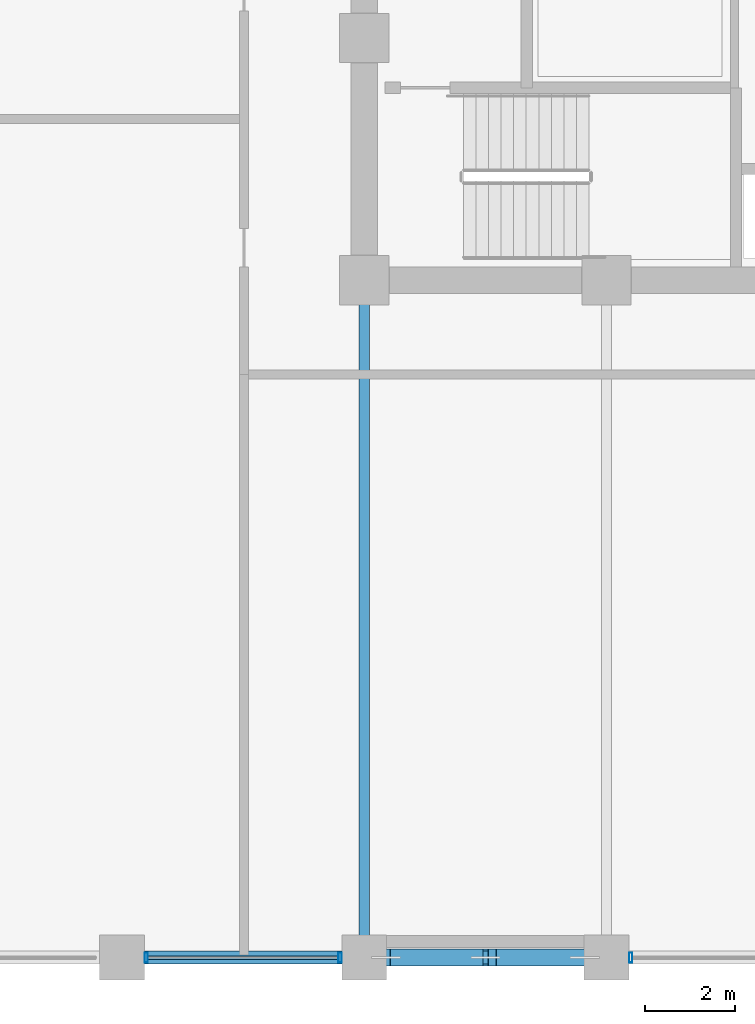
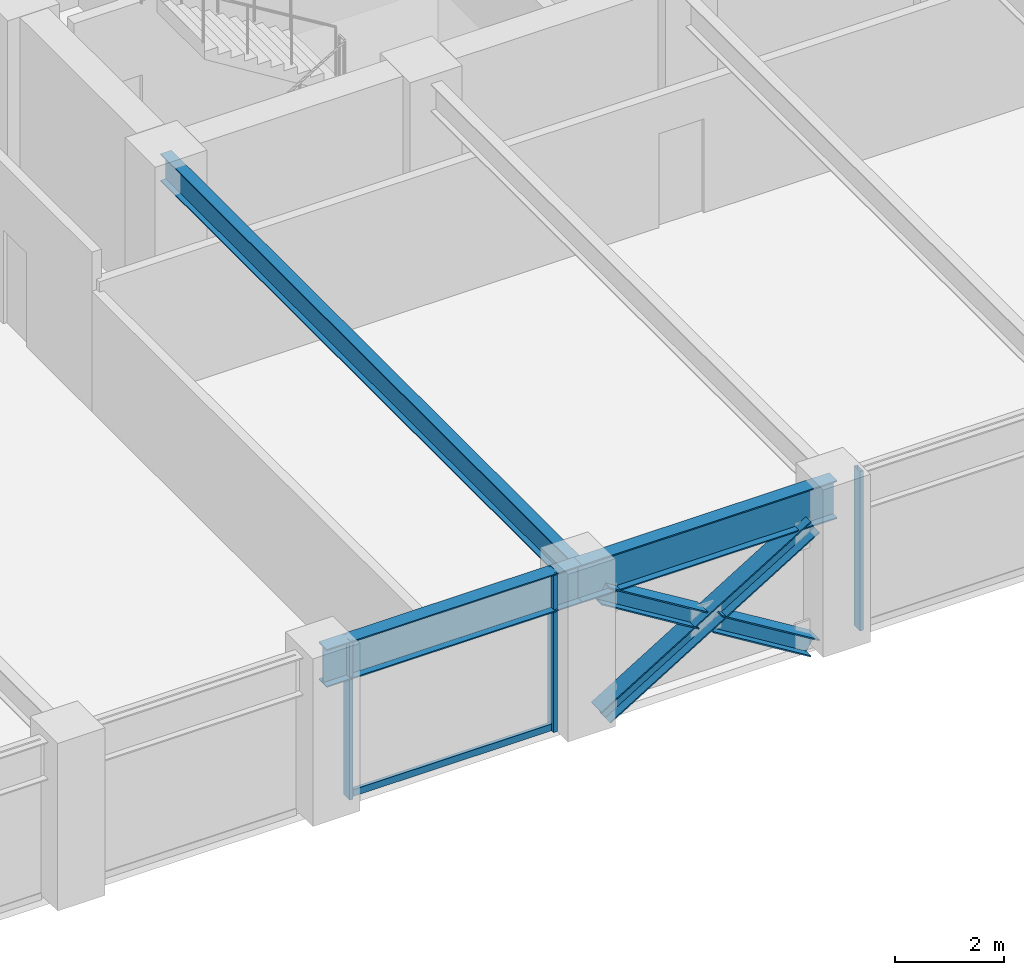
# One storey, part 4 of 23: 7 members, 3 beams, 2 elements without a shape of their own.
"""IFC4 building model written with IfcOpenShell, lengths in metres."""

import ifcopenshell
import ifcopenshell.guid

model = None  # the IFC model being written
_history = None  # IfcOwnerHistory: only IFC2X3 demands one
_inside = {}  # id of a spatial element -> (the spatial element, [elements in it])
_under = {}  # id of a project, library or spatial element -> (it, [spatial elements below it])
_declared = {}  # id of a project -> (the project, [libraries it declares])
_typed = {}  # id of a type object -> (the type object, [elements of that type])
_made_of = {}  # id of a material, layer set ... -> (it, [elements and type objects made of it])


def new_model(schema):
    """Start an empty IFC model of exactly this schema.

    Asked for "IFC4X3", IfcOpenShell would pick the latest addendum, in which some entities
    have other attributes; the version numbers below select the first issue.
    IFC2X3 requires an IfcOwnerHistory on every rooted entity: one is made here for all.
    """
    global model, _history
    if schema == "IFC4X3":
        model = ifcopenshell.file(schema_version=(4, 3, 0, 0))
    else:
        model = ifcopenshell.file(schema=schema)
    _inside.clear()
    _under.clear()
    _declared.clear()
    _typed.clear()
    _made_of.clear()
    _history = None
    if model.schema == "IFC2X3":
        org = make("IfcOrganization", Name="unknown")
        user = make(
            "IfcPersonAndOrganization",
            ThePerson=make("IfcPerson", FamilyName="unknown"),
            TheOrganization=org,
        )
        app = make(
            "IfcApplication",
            ApplicationDeveloper=org,
            Version="unknown",
            ApplicationFullName="unknown",
            ApplicationIdentifier="unknown",
        )
        _history = make(
            "IfcOwnerHistory",
            OwningUser=user,
            OwningApplication=app,
            ChangeAction="ADDED",
            CreationDate=0,
        )
    return model


def make(cls, **values):
    """One entity of the class cls with the attributes given. An attribute that is None is left unset."""
    return model.create_entity(
        cls, **{name: value for name, value in values.items() if value is not None}
    )


def rooted(cls, **values):
    """An entity with a GlobalId (a new one), such as an element, a storey or a relation."""
    return make(cls, GlobalId=ifcopenshell.guid.new(), OwnerHistory=_history, **values)


def si_unit(unit_type, name, prefix=None):
    """IfcSIUnit, for example si_unit("LENGTHUNIT", "METRE", prefix="MILLI")."""
    return make("IfcSIUnit", UnitType=unit_type, Prefix=prefix, Name=name)


def assignment(units):
    """IfcUnitAssignment: the units of a project."""
    return None if units is None else make("IfcUnitAssignment", Units=units)


def point(xyz):
    """IfcCartesianPoint."""
    return None if xyz is None else make("IfcCartesianPoint", Coordinates=xyz)


def direction(xyz):
    """IfcDirection."""
    return None if xyz is None else make("IfcDirection", DirectionRatios=xyz)


def frame(location, z_axis=None, x_axis=None):
    """IfcAxis2Placement3D, a coordinate frame: its origin and axes. An axis left out is left unset."""
    return make(
        "IfcAxis2Placement3D",
        Location=point(location),
        Axis=direction(z_axis),
        RefDirection=direction(x_axis),
    )


def frame_2d(location, x_axis=None):
    """IfcAxis2Placement2D, a coordinate frame in the plane: its origin and x axis."""
    return make(
        "IfcAxis2Placement2D", Location=point(location), RefDirection=direction(x_axis)
    )


def origin():
    """The frame at (0, 0, 0) with its axes left unset."""
    return frame((0.0, 0.0, 0.0))


def origin_2d():
    """The frame at (0, 0) in the plane with its x axis left unset."""
    return frame_2d((0.0, 0.0))


def place(relative_to, where):
    """IfcLocalPlacement: puts the frame where relative to a parent placement (None: the world)."""
    return make(
        "IfcLocalPlacement", PlacementRelTo=relative_to, RelativePlacement=where
    )


def context(
    kind, dimensions, precision=None, world=None, true_north=None, identifier=None
):
    """IfcGeometricRepresentationContext, for example the 3D "Model" context."""
    return make(
        "IfcGeometricRepresentationContext",
        ContextIdentifier=identifier,
        ContextType=kind,
        CoordinateSpaceDimension=dimensions,
        Precision=precision,
        WorldCoordinateSystem=world,
        TrueNorth=true_north,
    )


def subcontext(parent, identifier, kind, view, scale=None):
    """IfcGeometricRepresentationSubContext, for example "Body" below "Model"."""
    return make(
        "IfcGeometricRepresentationSubContext",
        ContextIdentifier=identifier,
        ContextType=kind,
        ParentContext=parent,
        TargetScale=scale,
        TargetView=view,
    )


def project(units=None, contexts=None):
    """IfcProject with its units and contexts."""
    return rooted(
        "IfcProject",
        Name="project",
        RepresentationContexts=contexts,
        UnitsInContext=assignment(units),
    )


def spatial(cls, under=None, at=None, **own):
    """A site, building, storey or space (cls), placed at a placement, below another one or the project."""
    s = rooted(cls, ObjectPlacement=at, **own)
    if under is not None:
        _under.setdefault(under.id(), (under, []))[1].append(s)
    return s


def profile(cls, at=None, kind="AREA", **sizes):
    """A parametric profile (cls). Its sizes go by their IFC names, for example OverallWidth=200.0."""
    return make(cls, ProfileType=kind, Position=at, **sizes)


def hollow_rectangle(**sizes):
    """IfcRectangleHollowProfileDef."""
    return profile("IfcRectangleHollowProfileDef", **sizes)


def i_section(**sizes):
    """IfcIShapeProfileDef."""
    return profile("IfcIShapeProfileDef", **sizes)


def extrude(swept, where, along, depth):
    """IfcExtrudedAreaSolid: the profile swept, set in the frame where, extruded along a direction by depth."""
    return make(
        "IfcExtrudedAreaSolid",
        SweptArea=swept,
        Position=where,
        ExtrudedDirection=direction(along),
        Depth=depth,
    )


def shape(context_of_items, identifier, shape_type, items):
    """IfcShapeRepresentation: the items that make up one representation, for example the "Body"."""
    return make(
        "IfcShapeRepresentation",
        ContextOfItems=context_of_items,
        RepresentationIdentifier=identifier,
        RepresentationType=shape_type,
        Items=items,
    )


def material(Name=None, Category=None):
    """IfcMaterial."""
    return make("IfcMaterial", Name=Name, Category=Category)


def layer(
    of_material, thickness, ventilated=None, Name=None, Category=None, Priority=None
):
    """IfcMaterialLayer: one layer of a wall or slab, of a material (None: an air gap)."""
    return make(
        "IfcMaterialLayer",
        Material=of_material,
        LayerThickness=thickness,
        IsVentilated=ventilated,
        Name=Name,
        Category=Category,
        Priority=Priority,
    )


def layer_set(layers, Name=None):
    """IfcMaterialLayerSet."""
    return make("IfcMaterialLayerSet", MaterialLayers=layers, LayerSetName=Name)


def material_profile(
    of_material, cross_section, Name=None, Category=None, Priority=None
):
    """IfcMaterialProfile: a cross section and its material."""
    return make(
        "IfcMaterialProfile",
        Name=Name,
        Material=of_material,
        Profile=cross_section,
        Priority=Priority,
        Category=Category,
    )


def profile_set(profiles, Name=None, composite=None):
    """IfcMaterialProfileSet."""
    return make(
        "IfcMaterialProfileSet",
        Name=Name,
        MaterialProfiles=profiles,
        CompositeProfile=composite,
    )


def made_of(thing, what):
    """Note that an element or type object is made of a material, layer set ...; save() writes the relation."""
    if what is not None:
        _made_of.setdefault(what.id(), (what, []))[1].append(thing)
    return thing


def type_object(cls, material=None, **own):
    """A type object (cls), such as IfcWallType, which elements share."""
    return made_of(rooted(cls, **own), material)


def element(
    cls,
    number,
    at=None,
    inside=None,
    cuts=None,
    type_object=None,
    material=None,
    context=None,
    identifier="Body",
    shape_type=None,
    held_by="IfcProductDefinitionShape",
    body=None,
    shapes=None,
    **own,
):
    """One element of the class cls, such as IfcWall. Its Tag is "e" and its number.

    at: its placement. inside: the storey or other place that contains it. cuts: it is an
    opening in that element (IfcRelVoidsElement). A single representation is given by context,
    identifier, shape_type and body (its items); several are given by shapes. held_by: the class
    of the entity that holds the representations. save() writes the other relations.
    """
    e = rooted(cls, Tag="e%d" % number, ObjectPlacement=at, **own)
    if body is not None:
        shapes = [shape(context, identifier, shape_type, body)]
    if shapes is not None:
        e.Representation = make(held_by, Representations=shapes)
    if inside is not None:
        _inside.setdefault(inside.id(), (inside, []))[1].append(e)
    if cuts is not None:
        rooted(
            "IfcRelVoidsElement", RelatingBuildingElement=cuts, RelatedOpeningElement=e
        )
    if type_object is not None:
        _typed.setdefault(type_object.id(), (type_object, []))[1].append(e)
    return made_of(e, material)


def aggregate(whole, parts):
    """IfcRelAggregates: a whole, such as a stair, and the parts it consists of."""
    return rooted("IfcRelAggregates", RelatingObject=whole, RelatedObjects=parts)


def save(model, path):
    """Write the relations noted so far, then the file.

    IfcRelAggregates (storeys below a building ...), IfcRelContainedInSpatialStructure (elements
    in a storey), IfcRelDefinesByType, IfcRelAssociatesMaterial and IfcRelDeclares: one each for
    every whole, place, type object, material and project.
    """
    for whole, parts in _under.values():
        aggregate(whole, parts)
    for where, things in _inside.values():
        rooted(
            "IfcRelContainedInSpatialStructure",
            RelatedElements=things,
            RelatingStructure=where,
        )
    for kind, things in _typed.values():
        rooted("IfcRelDefinesByType", RelatedObjects=things, RelatingType=kind)
    for what, things in _made_of.values():
        rooted("IfcRelAssociatesMaterial", RelatedObjects=things, RelatingMaterial=what)
    for by, libraries in _declared.values():
        rooted("IfcRelDeclares", RelatingContext=by, RelatedDefinitions=libraries)
    model.write(path)


model = new_model("IFC4")

# Units and contexts
model_context = context("Model", 3, precision=1e-05, world=origin(), true_north=direction((0.0, 1.0)))
body_context = subcontext(model_context, "Body", "Model", "MODEL_VIEW")
ifc_project = project(units=[si_unit("LENGTHUNIT", "METRE"), si_unit("AREAUNIT", "SQUARE_METRE"), si_unit("VOLUMEUNIT", "CUBIC_METRE"), si_unit("PLANEANGLEUNIT", "RADIAN"), si_unit("MASSUNIT", "GRAM", prefix="KILO")], contexts=[model_context])

# Site, building, storey
site_placement = place(None, origin())
site = spatial("IfcSite", under=ifc_project, at=site_placement, CompositionType="ELEMENT")
building_placement = place(site_placement, origin())
building = spatial("IfcBuilding", under=site, at=building_placement, Name="Surkhivell Harbour Commons", CompositionType="ELEMENT")
storey_placement = place(building_placement, frame((0.0, 0.0, 132.0)))
storey = spatial("IfcBuildingStorey", under=building, at=storey_placement, Name="L34", CompositionType="ELEMENT", Elevation=132.0)

# Beams
ifc_material_1 = material(Name="Steel S355", Category="steel")
ifc_material_profile_1 = material_profile(ifc_material_1, i_section(OverallWidth=0.22998046875, OverallDepth=0.616943359375, WebThickness=0.01318359375, FlangeThickness=0.022216796875, at=origin_2d()), Name="UB610x229x140")
ifc_profile_set_1 = profile_set([ifc_material_profile_1], Name="Steel S355")
beam_type_1 = type_object("IfcBeamType", Name="BM-GRD-610B", PredefinedType="BEAM", material=ifc_profile_set_1)
beam_1_placement = place(storey_placement, frame((-10.800048828125, -25.89990234375, 3.261474609375), z_axis=(0.0, 1.0, 0.0), x_axis=(-1.0, 0.0, 0.0)))
element("IfcBeam", 1, at=beam_1_placement, inside=storey, type_object=beam_type_1, Name="L34 Floor Girder (-10.8,-25.9)", PredefinedType="BEAM", context=body_context, shape_type="SweptSolid", body=[
    extrude(i_section(OverallWidth=0.22998046875, OverallDepth=0.616943359375, WebThickness=0.01318359375, FlangeThickness=0.022216796875, at=origin_2d()), origin(), (0.0, 0.0, 1.0), 15.099853515625),
])
ifc_material_2 = material(Name="Steel S460", Category="steel")
ifc_material_profile_2 = material_profile(ifc_material_2, i_section(OverallWidth=0.2939453125, OverallDepth=0.85107421875, WebThickness=0.01611328125, FlangeThickness=0.02685546875, at=origin_2d()), Name="UB838x292x226")
ifc_profile_set_2 = profile_set([ifc_material_profile_2], Name="Steel S460")
beam_type_2 = type_object("IfcBeamType", Name="BM-SPN-838", PredefinedType="SPANDREL", material=ifc_profile_set_2)
beam_2_placement = place(storey_placement, frame((-16.199951171875, -25.89990234375, 3.14453125), z_axis=(1.0, 0.0, 0.0), x_axis=(0.0, 1.0, 0.0)))
element("IfcBeam", 2, at=beam_2_placement, inside=storey, type_object=beam_type_2, Name="L34 Tube Spandrel (-16.2,-25.9)", PredefinedType="SPANDREL", context=body_context, shape_type="SweptSolid", body=[
    extrude(i_section(OverallWidth=0.2939453125, OverallDepth=0.85107421875, WebThickness=0.01611328125, FlangeThickness=0.02685546875, at=origin_2d()), origin(), (0.0, 0.0, 1.0), 5.39990234375),
])
beam_3_placement = place(storey_placement, frame((-10.800048828125, -25.89990234375, 3.14453125), z_axis=(1.0, 0.0, 0.0), x_axis=(0.0, 1.0, 0.0)))
element("IfcBeam", 3, at=beam_3_placement, inside=storey, type_object=beam_type_2, Name="L34 Tube Spandrel (-10.8,-25.9)", PredefinedType="SPANDREL", context=body_context, shape_type="SweptSolid", body=[
    extrude(i_section(OverallWidth=0.2939453125, OverallDepth=0.85107421875, WebThickness=0.01611328125, FlangeThickness=0.02685546875, at=origin_2d()), origin(), (0.0, 0.0, 1.0), 5.400146484375),
])

# Curtain wall, members
ifc_material_3 = material(Name="Anodised pale-metal aluminium and insulated glazing", Category="aluminium")
ifc_layer = layer(ifc_material_3, 0.205078125)
ifc_layer_set = layer_set([ifc_layer], Name="Anodised pale-metal aluminium and insulated glazing")
curtain_wall_type = type_object("IfcCurtainWallType", Name="CW-SYS-Z2", PredefinedType="NOTDEFINED", material=ifc_layer_set)
curtain_wall_1_placement = place(storey_placement, origin())
curtain_wall_1 = element("IfcCurtainWall", 4, at=curtain_wall_1_placement, inside=storey, type_object=curtain_wall_type, Name="L34 Curtain Wall CW-L34-E00S1", PredefinedType="NOTDEFINED")
ifc_material_4 = material(Name="Anodised pale-metal aluminium alloy 6063-T6", Category="aluminium")
ifc_material_profile_3 = material_profile(ifc_material_4, hollow_rectangle(XDim=0.074951171875, YDim=0.219970703125, WallThickness=0.00390625, at=origin_2d()), Name="ALU-MULL-75x220")
ifc_profile_set_3 = profile_set([ifc_material_profile_3], Name="Anodised pale-metal aluminium alloy 6063-T6")
member_type_1 = type_object("IfcMemberType", Name="CWM-220", PredefinedType="MULLION", material=ifc_profile_set_3)
member_1_placement = place(storey_placement, frame((-15.660400390625, -25.89990234375, 0.0), z_axis=(0.0, 0.0, 1.0), x_axis=(1.0, 0.0, 0.0)))
member_1 = element("IfcMember", 5, at=member_1_placement, type_object=member_type_1, Name="CW-Z2 mullion 3", PredefinedType="MULLION", context=body_context, shape_type="SweptSolid", body=[
    extrude(hollow_rectangle(XDim=0.074951171875, YDim=0.219970703125, WallThickness=0.00390625, at=origin_2d()), origin(), (0.0, 0.0, 1.0), 3.570068359375),
])
member_2_placement = place(storey_placement, frame((-11.339599609375, -25.89990234375, 0.0), z_axis=(0.0, 0.0, 1.0), x_axis=(1.0, 0.0, 0.0)))
member_2 = element("IfcMember", 6, at=member_2_placement, type_object=member_type_1, Name="CW-Z2 mullion 4", PredefinedType="MULLION", context=body_context, shape_type="SweptSolid", body=[
    extrude(hollow_rectangle(XDim=0.074951171875, YDim=0.219970703125, WallThickness=0.00390625, at=origin_2d()), origin(), (0.0, 0.0, 1.0), 3.570068359375),
])

# Curtain wall, member
curtain_wall_2_placement = place(storey_placement, origin())
curtain_wall_2 = element("IfcCurtainWall", 7, at=curtain_wall_2_placement, inside=storey, type_object=curtain_wall_type, Name="L34 Curtain Wall CW-L34-E00S2", PredefinedType="NOTDEFINED")
member_3_placement = place(storey_placement, frame((-4.860595703125, -25.89990234375, 0.0), z_axis=(0.0, 0.0, 1.0), x_axis=(1.0, 0.0, 0.0)))
member_3 = element("IfcMember", 8, at=member_3_placement, type_object=member_type_1, Name="CW-Z2 mullion 1", PredefinedType="MULLION", context=body_context, shape_type="SweptSolid", body=[
    extrude(hollow_rectangle(XDim=0.074951171875, YDim=0.219970703125, WallThickness=0.00390625, at=origin_2d()), origin(), (0.0, 0.0, 1.0), 3.570068359375),
])
aggregate(curtain_wall_2, [member_3])

# Member
ifc_material_profile_4 = material_profile(ifc_material_4, hollow_rectangle(XDim=0.074951171875, YDim=0.14990234375, WallThickness=0.00341796875, at=origin_2d()), Name="ALU-TRAN-75x150")
ifc_profile_set_4 = profile_set([ifc_material_profile_4], Name="Anodised pale-metal aluminium alloy 6063-T6")
member_type_2 = type_object("IfcMemberType", Name="CWT-150", PredefinedType="USERDEFINED", material=ifc_profile_set_4)
member_4_placement = place(storey_placement, frame((-15.623046875, -25.89990234375, 0.074951171875), z_axis=(1.0, 0.0, 0.0), x_axis=(0.0, 1.0, 0.0)))
member_4 = element("IfcMember", 9, at=member_4_placement, type_object=member_type_2, Name="CW-Z2 transom 3.1", ObjectType="TRANSOM", PredefinedType="USERDEFINED", context=body_context, shape_type="SweptSolid", body=[
    extrude(hollow_rectangle(XDim=0.074951171875, YDim=0.14990234375, WallThickness=0.00341796875, at=origin_2d()), origin(), (0.0, 0.0, 1.0), 4.24609375),
])

aggregate(curtain_wall_1, [member_1, member_2, member_4])

# Members
ifc_material_profile_5 = material_profile(ifc_material_2, i_section(OverallWidth=0.375, OverallDepth=0.375, WebThickness=0.0166015625, FlangeThickness=0.027099609375, at=origin_2d()), Name="UC356x368x202")
ifc_profile_set_5 = profile_set([ifc_material_profile_5], Name="Steel S460")
member_type_3 = type_object("IfcMemberType", Name="MEM-BRC-UC356", PredefinedType="BRACE", material=ifc_profile_set_5)
member_5_placement = place(storey_placement, frame((-10.31494140625, -25.89990234375, 0.008056640625), z_axis=(0.852624888477, 0.0, 0.522523491864), x_axis=(0.0, 1.0, 0.0)))
element("IfcMember", 10, at=member_5_placement, inside=storey, type_object=member_type_3, Name="L34 Perimeter Mega-Brace MB- 07", PredefinedType="BRACE", context=body_context, shape_type="SweptSolid", body=[
    extrude(i_section(OverallWidth=0.375, OverallDepth=0.375, WebThickness=0.0166015625, FlangeThickness=0.027099609375, at=origin_2d()), origin(), (0.0, 0.0, 1.0), 5.195556640625),
])
member_6_placement = place(storey_placement, frame((-5.885009765625, -25.89990234375, 0.008056640625), z_axis=(-0.852617215241, 0.0, 0.52253601242), x_axis=(0.0, -1.0, 0.0)))
element("IfcMember", 11, at=member_6_placement, inside=storey, type_object=member_type_3, Name="L34 Perimeter Mega-Brace MB- 08", PredefinedType="BRACE", context=body_context, shape_type="SweptSolid", body=[
    extrude(i_section(OverallWidth=0.375, OverallDepth=0.375, WebThickness=0.0166015625, FlangeThickness=0.027099609375, at=origin_2d()), origin(), (0.0, 0.0, 1.0), 2.41796875),
])
member_7_placement = place(storey_placement, frame((-8.25341796875, -25.89990234375, 1.459716796875), z_axis=(-0.852662200332, 0.0, 0.522462603567), x_axis=(0.0, -1.0, 0.0)))
element("IfcMember", 12, at=member_7_placement, inside=storey, type_object=member_type_3, Name="L34 Perimeter Mega-Brace MB- 09", PredefinedType="BRACE", context=body_context, shape_type="SweptSolid", body=[
    extrude(i_section(OverallWidth=0.375, OverallDepth=0.375, WebThickness=0.0166015625, FlangeThickness=0.027099609375, at=origin_2d()), origin(), (0.0, 0.0, 1.0), 2.417724609375),
])

save(model, "model.ifc")
